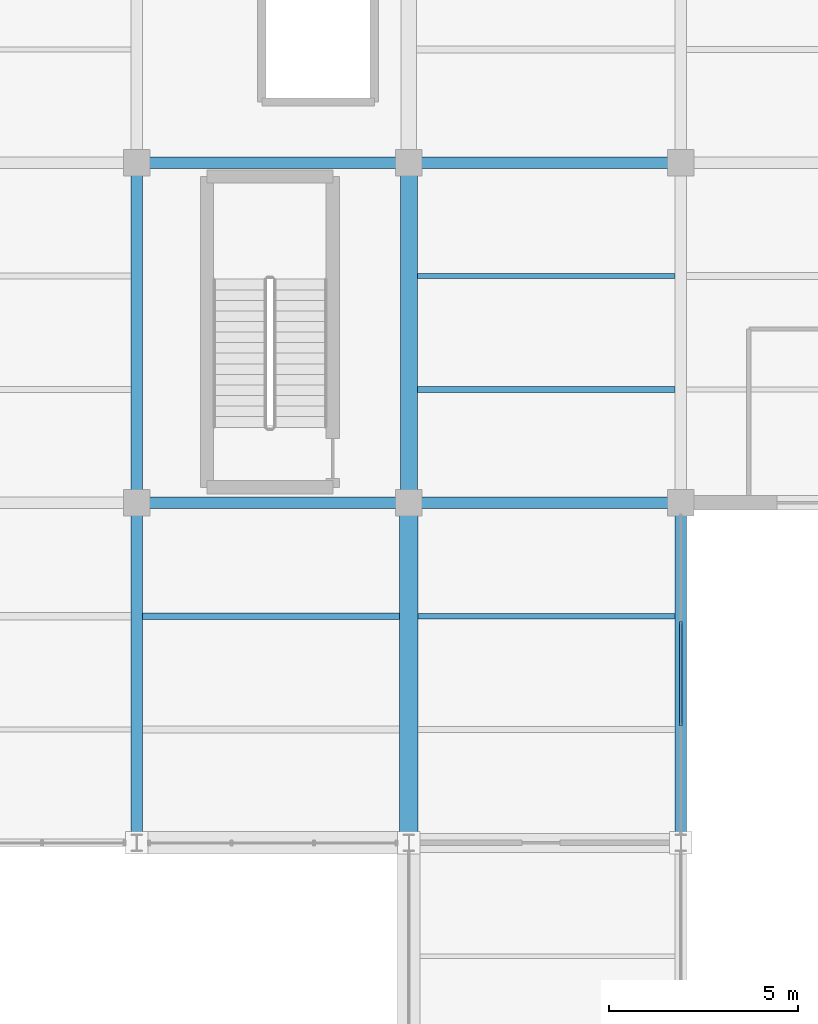
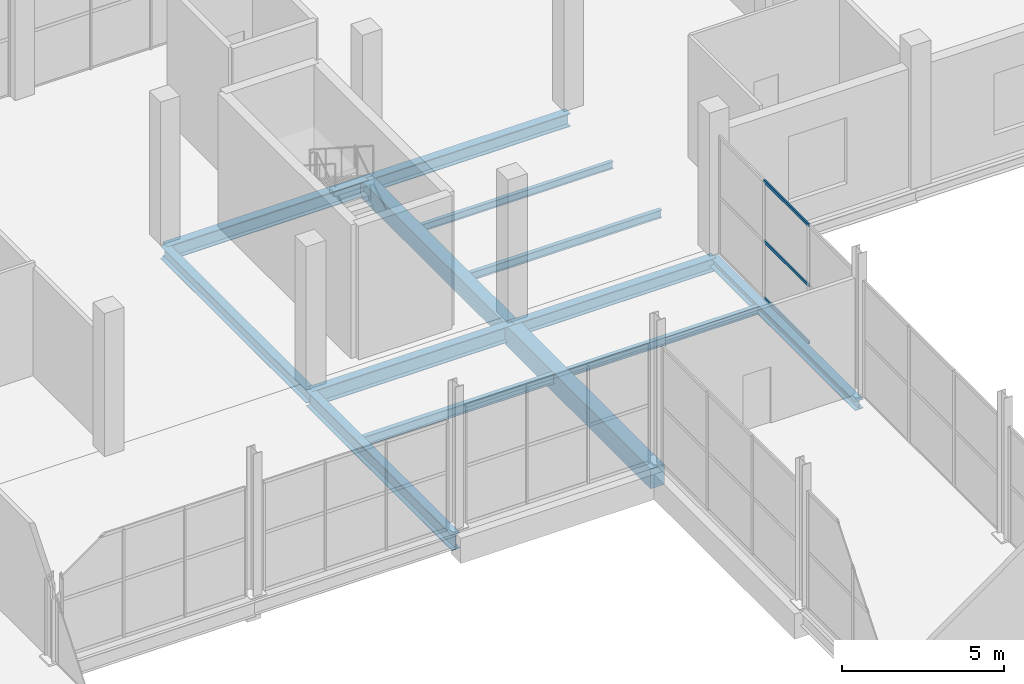
# One storey, part 98 of 147: 13 beams, 3 members, 1 element without a shape of its own.
"""IFC4 building model written with IfcOpenShell, lengths in metres."""

from ifc_helpers import new_model, si_unit, direction, frame, origin, origin_2d, place, context, subcontext, project, spatial, rectangle, hollow_rectangle, i_section, extrude, material, layer, layer_set, material_profile, profile_set, type_object, element, aggregate, save


model = new_model("IFC4")

# Units and contexts
model_context = context("Model", 3, precision=1e-05, world=origin(), true_north=direction((0.0, 1.0)))
body_context = subcontext(model_context, "Body", "Model", "MODEL_VIEW")
ifc_project = project(units=[si_unit("LENGTHUNIT", "METRE"), si_unit("AREAUNIT", "SQUARE_METRE"), si_unit("VOLUMEUNIT", "CUBIC_METRE"), si_unit("PLANEANGLEUNIT", "RADIAN"), si_unit("MASSUNIT", "GRAM", prefix="KILO")], contexts=[model_context])

# Site, building, storey
site_placement = place(None, origin())
site = spatial("IfcSite", under=ifc_project, at=site_placement, CompositionType="ELEMENT")
building_placement = place(site_placement, origin())
building = spatial("IfcBuilding", under=site, at=building_placement, Name="Sundgate Opera House", CompositionType="ELEMENT")
storey_placement = place(building_placement, frame((0.0, 0.0, 6.0)))
storey = spatial("IfcBuildingStorey", under=building, at=storey_placement, Name="L01", CompositionType="ELEMENT", Elevation=6.0)

# Beams
ifc_material_1 = material(Name="Steel S355J2", Category="steel")
ifc_material_profile_1 = material_profile(ifc_material_1, i_section(OverallWidth=0.300048828125, OverallDepth=0.489990234375, WebThickness=0.011962890625, FlangeThickness=0.02294921875, at=origin_2d()), Name="HEA 500")
ifc_profile_set_1 = profile_set([ifc_material_profile_1], Name="Steel S355J2")
beam_type_1 = type_object("IfcBeamType", Name="BM-GR-HEA500", PredefinedType="BEAM", material=ifc_profile_set_1)
beam_1_placement = place(storey_placement, frame((131.39990234375, 69.0, -0.544921875), z_axis=(0.0, 1.0, 0.0), x_axis=(-1.0, 0.0, 0.0)))
element("IfcBeam", 1, at=beam_1_placement, inside=storey, type_object=beam_type_1, Name="L01 Primary N-S Girder B1213", PredefinedType="BEAM", context=body_context, shape_type="SweptSolid", body=[
    extrude(i_section(OverallWidth=0.300048828125, OverallDepth=0.489990234375, WebThickness=0.011962890625, FlangeThickness=0.02294921875, at=origin_2d()), origin(), (0.0, 0.0, 1.0), 9.0),
])
beam_2_placement = place(storey_placement, frame((138.60009765625, 69.0, -0.544921875), z_axis=(1.0, 0.0, 0.0), x_axis=(0.0, 1.0, 0.0)))
element("IfcBeam", 2, at=beam_2_placement, inside=storey, type_object=beam_type_1, Name="L01 Primary E-W Girder B1367", PredefinedType="BEAM", context=body_context, shape_type="SweptSolid", body=[
    extrude(i_section(OverallWidth=0.300048828125, OverallDepth=0.489990234375, WebThickness=0.011962890625, FlangeThickness=0.02294921875, at=origin_2d()), origin(), (0.0, 0.0, 1.0), 7.199951171875),
])
ifc_material_2 = material(Name="Steel S355J2", Category="steel")
ifc_material_profile_2 = material_profile(ifc_material_2, i_section(OverallWidth=0.300048828125, OverallDepth=0.590087890625, WebThickness=0.012939453125, FlangeThickness=0.02490234375, at=origin_2d()), Name="HEA 600")
ifc_profile_set_2 = profile_set([ifc_material_profile_2], Name="Steel S355J2")
beam_type_2 = type_object("IfcBeamType", Name="BM-GR-HEA600", PredefinedType="BEAM", material=ifc_profile_set_2)
beam_3_placement = place(storey_placement, frame((131.39990234375, 60.0, -0.594970703125), z_axis=(0.0, 1.0, 0.0), x_axis=(-1.0, 0.0, 0.0)))
element("IfcBeam", 3, at=beam_3_placement, inside=storey, type_object=beam_type_2, Name="L01 Primary N-S Girder B1212", PredefinedType="BEAM", context=body_context, shape_type="SweptSolid", body=[
    extrude(i_section(OverallWidth=0.300048828125, OverallDepth=0.590087890625, WebThickness=0.012939453125, FlangeThickness=0.02490234375, at=origin_2d()), origin(), (0.0, 0.0, 1.0), 9.0),
])
beam_4_placement = place(storey_placement, frame((131.39990234375, 69.0, -0.594970703125), z_axis=(1.0, 0.0, 0.0), x_axis=(0.0, 1.0, 0.0)))
element("IfcBeam", 4, at=beam_4_placement, inside=storey, type_object=beam_type_2, Name="L01 Primary E-W Girder B1366", PredefinedType="BEAM", context=body_context, shape_type="SweptSolid", body=[
    extrude(i_section(OverallWidth=0.300048828125, OverallDepth=0.590087890625, WebThickness=0.012939453125, FlangeThickness=0.02490234375, at=origin_2d()), origin(), (0.0, 0.0, 1.0), 7.2001953125),
])
ifc_material_3 = material(Name="Steel S355J2", Category="steel")
ifc_material_profile_3 = material_profile(ifc_material_3, i_section(OverallWidth=0.300048828125, OverallDepth=0.360107421875, WebThickness=0.012451171875, FlangeThickness=0.0224609375, at=origin_2d()), Name="HEB 360")
ifc_profile_set_3 = profile_set([ifc_material_profile_3], Name="Steel S355J2")
beam_type_3 = type_object("IfcBeamType", Name="BM-GR-HEB360", PredefinedType="BEAM", material=ifc_profile_set_3)
beam_5_placement = place(storey_placement, frame((145.800048828125, 60.0, -0.47998046875), z_axis=(0.0, 1.0, 0.0), x_axis=(-1.0, 0.0, 0.0)))
element("IfcBeam", 5, at=beam_5_placement, inside=storey, type_object=beam_type_3, Name="L01 Primary N-S Girder B1233", PredefinedType="BEAM", context=body_context, shape_type="SweptSolid", body=[
    extrude(i_section(OverallWidth=0.300048828125, OverallDepth=0.360107421875, WebThickness=0.012451171875, FlangeThickness=0.0224609375, at=origin_2d()), origin(), (0.0, 0.0, 1.0), 9.0),
])
ifc_material_4 = material(Name="Steel S355J2", Category="steel")
ifc_material_profile_4 = material_profile(ifc_material_4, i_section(OverallWidth=0.300048828125, OverallDepth=0.5, WebThickness=0.014404296875, FlangeThickness=0.028076171875, at=origin_2d()), Name="HEB 500")
ifc_profile_set_4 = profile_set([ifc_material_profile_4], Name="Steel S355J2")
beam_type_4 = type_object("IfcBeamType", Name="BM-GR-HEB500", PredefinedType="BEAM", material=ifc_profile_set_4)
beam_6_placement = place(storey_placement, frame((138.60009765625, 78.0, -0.550048828125), z_axis=(1.0, 0.0, 0.0), x_axis=(0.0, 1.0, 0.0)))
element("IfcBeam", 6, at=beam_6_placement, inside=storey, type_object=beam_type_4, Name="L01 Primary E-W Girder B1384", PredefinedType="BEAM", context=body_context, shape_type="SweptSolid", body=[
    extrude(i_section(OverallWidth=0.300048828125, OverallDepth=0.5, WebThickness=0.014404296875, FlangeThickness=0.028076171875, at=origin_2d()), origin(), (0.0, 0.0, 1.0), 7.199951171875),
])
ifc_material_5 = material(Name="Steel S355J2", Category="steel")
ifc_material_profile_5 = material_profile(ifc_material_5, i_section(OverallWidth=0.300048828125, OverallDepth=0.550048828125, WebThickness=0.014892578125, FlangeThickness=0.029052734375, at=origin_2d()), Name="HEB 550")
ifc_profile_set_5 = profile_set([ifc_material_profile_5], Name="Steel S355J2")
beam_type_5 = type_object("IfcBeamType", Name="BM-GR-HEB550", PredefinedType="BEAM", material=ifc_profile_set_5)
beam_7_placement = place(storey_placement, frame((131.39990234375, 78.0, -0.574951171875), z_axis=(1.0, 0.0, 0.0), x_axis=(0.0, 1.0, 0.0)))
element("IfcBeam", 7, at=beam_7_placement, inside=storey, type_object=beam_type_5, Name="L01 Primary E-W Girder B1383", PredefinedType="BEAM", context=body_context, shape_type="SweptSolid", body=[
    extrude(i_section(OverallWidth=0.300048828125, OverallDepth=0.550048828125, WebThickness=0.014892578125, FlangeThickness=0.029052734375, at=origin_2d()), origin(), (0.0, 0.0, 1.0), 7.2001953125),
])
ifc_material_6 = material(Name="Steel S355J2", Category="steel")
ifc_material_profile_6 = material_profile(ifc_material_6, i_section(OverallWidth=0.135009765625, OverallDepth=0.27001953125, WebThickness=0.006591796875, FlangeThickness=0.01025390625, at=origin_2d()), Name="IPE 270")
ifc_profile_set_6 = profile_set([ifc_material_profile_6], Name="Steel S355J2")
beam_type_6 = type_object("IfcBeamType", Name="BM-JS-IPE270", PredefinedType="JOIST", material=ifc_profile_set_6)
beam_8_placement = place(storey_placement, frame((138.824951171875, 75.0, -0.43505859375), z_axis=(1.0, 0.0, 0.0), x_axis=(0.0, 1.0, 0.0)))
element("IfcBeam", 8, at=beam_8_placement, inside=storey, type_object=beam_type_6, Name="L01 Secondary Floor Joist B1629", PredefinedType="JOIST", context=body_context, shape_type="SweptSolid", body=[
    extrude(i_section(OverallWidth=0.135009765625, OverallDepth=0.27001953125, WebThickness=0.006591796875, FlangeThickness=0.01025390625, at=origin_2d()), origin(), (0.0, 0.0, 1.0), 6.824951171875),
])
ifc_material_7 = material(Name="Steel S355J2", Category="steel")
ifc_material_profile_7 = material_profile(ifc_material_7, i_section(OverallWidth=0.14990234375, OverallDepth=0.300048828125, WebThickness=0.007080078125, FlangeThickness=0.0107421875, at=origin_2d()), Name="IPE 300")
ifc_profile_set_7 = profile_set([ifc_material_profile_7], Name="Steel S355J2")
beam_type_7 = type_object("IfcBeamType", Name="BM-JS-IPE300", PredefinedType="JOIST", material=ifc_profile_set_7)
beam_9_placement = place(storey_placement, frame((138.85009765625, 66.0, -0.449951171875), z_axis=(1.0, 0.0, 0.0), x_axis=(0.0, 1.0, 0.0)))
element("IfcBeam", 9, at=beam_9_placement, inside=storey, type_object=beam_type_7, Name="L01 Secondary Floor Joist B1607", PredefinedType="JOIST", context=body_context, shape_type="SweptSolid", body=[
    extrude(i_section(OverallWidth=0.14990234375, OverallDepth=0.300048828125, WebThickness=0.007080078125, FlangeThickness=0.0107421875, at=origin_2d()), origin(), (0.0, 0.0, 1.0), 6.7998046875),
])
beam_10_placement = place(storey_placement, frame((138.824951171875, 72.0, -0.449951171875), z_axis=(1.0, 0.0, 0.0), x_axis=(0.0, 1.0, 0.0)))
element("IfcBeam", 10, at=beam_10_placement, inside=storey, type_object=beam_type_7, Name="L01 Secondary Floor Joist B1628", PredefinedType="JOIST", context=body_context, shape_type="SweptSolid", body=[
    extrude(i_section(OverallWidth=0.14990234375, OverallDepth=0.300048828125, WebThickness=0.007080078125, FlangeThickness=0.0107421875, at=origin_2d()), origin(), (0.0, 0.0, 1.0), 6.824951171875),
])
ifc_material_8 = material(Name="Steel S355J2", Category="steel")
ifc_material_profile_8 = material_profile(ifc_material_8, i_section(OverallWidth=0.169921875, OverallDepth=0.360107421875, WebThickness=0.008056640625, FlangeThickness=0.0126953125, at=origin_2d()), Name="IPE 360")
ifc_profile_set_8 = profile_set([ifc_material_profile_8], Name="Steel S355J2")
beam_type_8 = type_object("IfcBeamType", Name="BM-JS-IPE360", PredefinedType="JOIST", material=ifc_profile_set_8)
beam_11_placement = place(storey_placement, frame((131.550048828125, 66.0, -0.47998046875), z_axis=(1.0, 0.0, 0.0), x_axis=(0.0, 1.0, 0.0)))
element("IfcBeam", 11, at=beam_11_placement, inside=storey, type_object=beam_type_8, Name="L01 Secondary Floor Joist B1605", PredefinedType="JOIST", context=body_context, shape_type="SweptSolid", body=[
    extrude(i_section(OverallWidth=0.169921875, OverallDepth=0.360107421875, WebThickness=0.008056640625, FlangeThickness=0.0126953125, at=origin_2d()), origin(), (0.0, 0.0, 1.0), 6.800048828125),
])
ifc_material_9 = material(Name="Concrete C35/45", Category="concrete")
ifc_material_profile_9 = material_profile(ifc_material_9, rectangle(XDim=0.449951171875, YDim=0.64990234375, at=origin_2d()), Name="RC 450x650")
ifc_profile_set_9 = profile_set([ifc_material_profile_9], Name="Concrete C35/45")
beam_type_9 = type_object("IfcBeamType", Name="BM-RC-450x650", PredefinedType="BEAM", material=ifc_profile_set_9)
beam_12_placement = place(storey_placement, frame((138.60009765625, 69.0, -0.625), z_axis=(0.0, 1.0, 0.0), x_axis=(-1.0, 0.0, 0.0)))
element("IfcBeam", 12, at=beam_12_placement, inside=storey, type_object=beam_type_9, Name="L01 Primary N-S Girder B1223", PredefinedType="BEAM", context=body_context, shape_type="SweptSolid", body=[
    extrude(rectangle(XDim=0.449951171875, YDim=0.64990234375, at=origin_2d()), origin(), (0.0, 0.0, 1.0), 9.0),
])
ifc_material_10 = material(Name="Concrete C40/50", Category="concrete")
ifc_material_profile_10 = material_profile(ifc_material_10, rectangle(XDim=0.5, YDim=0.75, at=origin_2d()), Name="RC 500x750")
ifc_profile_set_10 = profile_set([ifc_material_profile_10], Name="Concrete C40/50")
beam_type_10 = type_object("IfcBeamType", Name="BM-RC-500x750", PredefinedType="BEAM", material=ifc_profile_set_10)
beam_13_placement = place(storey_placement, frame((138.60009765625, 60.0, -0.675048828125), z_axis=(0.0, 1.0, 0.0), x_axis=(-1.0, 0.0, 0.0)))
element("IfcBeam", 13, at=beam_13_placement, inside=storey, type_object=beam_type_10, Name="L01 Primary N-S Girder B1222", PredefinedType="BEAM", context=body_context, shape_type="SweptSolid", body=[
    extrude(rectangle(XDim=0.5, YDim=0.75, at=origin_2d()), origin(), (0.0, 0.0, 1.0), 9.0),
])

# Curtain wall, members
ifc_material_11 = material(Name="Anodized aluminium and low-iron glass", Category="aluminium")
ifc_layer = layer(ifc_material_11, 0.159912109375)
ifc_layer_set = layer_set([ifc_layer], Name="Anodized aluminium and low-iron glass")
curtain_wall_type = type_object("IfcCurtainWallType", Name="CW-STUDIO-DARK", PredefinedType="NOTDEFINED", material=ifc_layer_set)
curtain_wall_placement = place(storey_placement, origin())
curtain_wall = element("IfcCurtainWall", 14, at=curtain_wall_placement, inside=storey, type_object=curtain_wall_type, Name="L01 Curtain Wall CW051", PredefinedType="NOTDEFINED")
ifc_material_12 = material(Name="Anodized aluminium EN AW-6063", Category="aluminium")
ifc_material_profile_11 = material_profile(ifc_material_12, hollow_rectangle(XDim=0.054931640625, YDim=0.1201171875, WallThickness=0.00390625, at=origin_2d()), Name="CWT 120x55x4")
ifc_profile_set_11 = profile_set([ifc_material_profile_11], Name="Anodized aluminium EN AW-6063")
member_type = type_object("IfcMemberType", Name="CWT-ALU-120x55", PredefinedType="USERDEFINED", material=ifc_profile_set_11)
member_1_placement = place(storey_placement, frame((145.800048828125, 63.091552734375, 0.0), z_axis=(0.0, 1.0, 0.0), x_axis=(-1.0, 0.0, 0.0)))
member_1 = element("IfcMember", 15, at=member_1_placement, type_object=member_type, Name="CW051 Transom 4", ObjectType="TRANSOM", PredefinedType="USERDEFINED", context=body_context, shape_type="SweptSolid", body=[
    extrude(hollow_rectangle(XDim=0.054931640625, YDim=0.1201171875, WallThickness=0.00390625, at=origin_2d()), origin(), (0.0, 0.0, 1.0), 2.766845703125),
])
member_2_placement = place(storey_placement, frame((145.800048828125, 63.091552734375, 2.14990234375), z_axis=(0.0, 1.0, 0.0), x_axis=(-1.0, 0.0, 0.0)))
member_2 = element("IfcMember", 16, at=member_2_placement, type_object=member_type, Name="CW051 Transom 5", ObjectType="TRANSOM", PredefinedType="USERDEFINED", context=body_context, shape_type="SweptSolid", body=[
    extrude(hollow_rectangle(XDim=0.054931640625, YDim=0.1201171875, WallThickness=0.00390625, at=origin_2d()), origin(), (0.0, 0.0, 1.0), 2.766845703125),
])
member_3_placement = place(storey_placement, frame((145.800048828125, 63.091552734375, 4.4150390625), z_axis=(0.0, 1.0, 0.0), x_axis=(-1.0, 0.0, 0.0)))
member_3 = element("IfcMember", 17, at=member_3_placement, type_object=member_type, Name="CW051 Transom 6", ObjectType="TRANSOM", PredefinedType="USERDEFINED", context=body_context, shape_type="SweptSolid", body=[
    extrude(hollow_rectangle(XDim=0.054931640625, YDim=0.1201171875, WallThickness=0.00390625, at=origin_2d()), origin(), (0.0, 0.0, 1.0), 2.766845703125),
])
aggregate(curtain_wall, [member_1, member_2, member_3])

save(model, "model.ifc")
